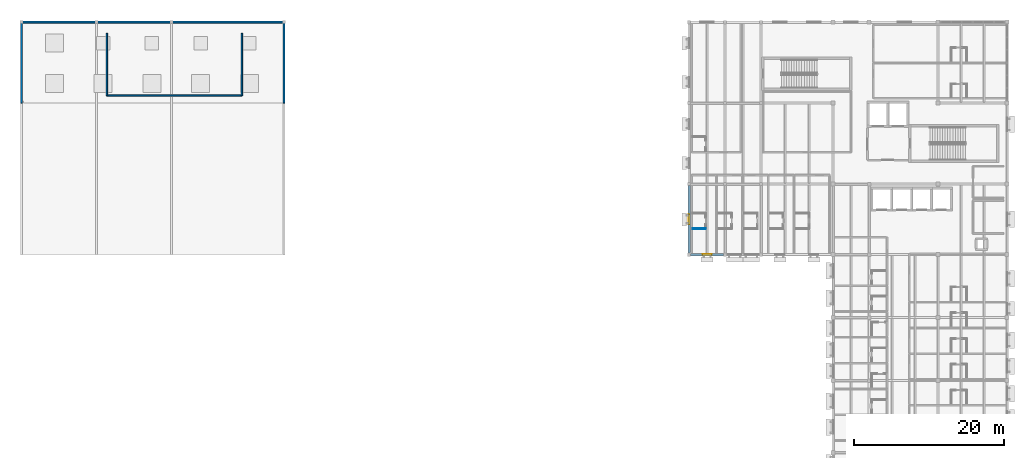
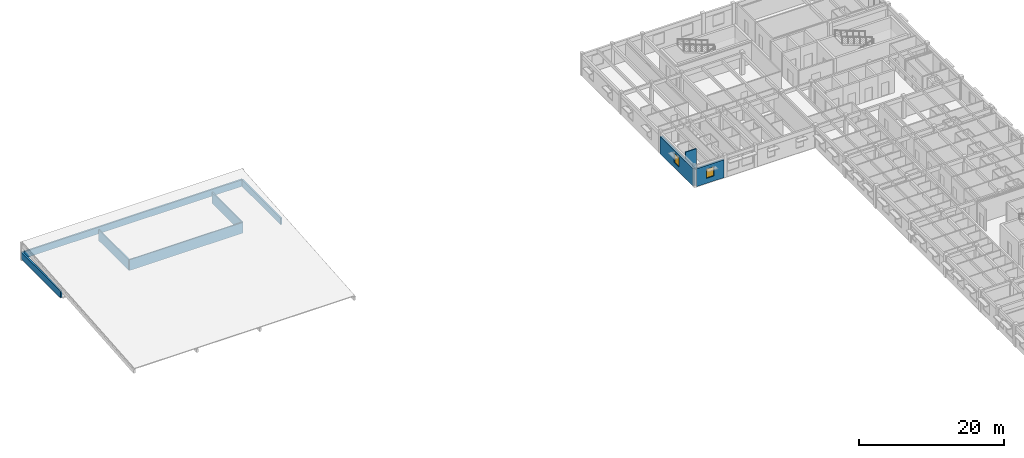
# One storey, part 15 of 31: 9 walls, 2 windows, 2 openings.
"""IFC4 building model written with IfcOpenShell, lengths in metres."""

import ifcopenshell
import ifcopenshell.guid

model = None  # the IFC model being written
_history = None  # IfcOwnerHistory: only IFC2X3 demands one
_inside = {}  # id of a spatial element -> (the spatial element, [elements in it])
_under = {}  # id of a project, library or spatial element -> (it, [spatial elements below it])
_declared = {}  # id of a project -> (the project, [libraries it declares])
_typed = {}  # id of a type object -> (the type object, [elements of that type])
_made_of = {}  # id of a material, layer set ... -> (it, [elements and type objects made of it])


def new_model(schema):
    """Start an empty IFC model of exactly this schema.

    Asked for "IFC4X3", IfcOpenShell would pick the latest addendum, in which some entities
    have other attributes; the version numbers below select the first issue.
    IFC2X3 requires an IfcOwnerHistory on every rooted entity: one is made here for all.
    """
    global model, _history
    if schema == "IFC4X3":
        model = ifcopenshell.file(schema_version=(4, 3, 0, 0))
    else:
        model = ifcopenshell.file(schema=schema)
    _inside.clear()
    _under.clear()
    _declared.clear()
    _typed.clear()
    _made_of.clear()
    _history = None
    if model.schema == "IFC2X3":
        org = make("IfcOrganization", Name="unknown")
        user = make(
            "IfcPersonAndOrganization",
            ThePerson=make("IfcPerson", FamilyName="unknown"),
            TheOrganization=org,
        )
        app = make(
            "IfcApplication",
            ApplicationDeveloper=org,
            Version="unknown",
            ApplicationFullName="unknown",
            ApplicationIdentifier="unknown",
        )
        _history = make(
            "IfcOwnerHistory",
            OwningUser=user,
            OwningApplication=app,
            ChangeAction="ADDED",
            CreationDate=0,
        )
    return model


def make(cls, **values):
    """One entity of the class cls with the attributes given. An attribute that is None is left unset."""
    return model.create_entity(
        cls, **{name: value for name, value in values.items() if value is not None}
    )


def rooted(cls, **values):
    """An entity with a GlobalId (a new one), such as an element, a storey or a relation."""
    return make(cls, GlobalId=ifcopenshell.guid.new(), OwnerHistory=_history, **values)


def si_unit(unit_type, name, prefix=None):
    """IfcSIUnit, for example si_unit("LENGTHUNIT", "METRE", prefix="MILLI")."""
    return make("IfcSIUnit", UnitType=unit_type, Prefix=prefix, Name=name)


def assignment(units):
    """IfcUnitAssignment: the units of a project."""
    return None if units is None else make("IfcUnitAssignment", Units=units)


def point(xyz):
    """IfcCartesianPoint."""
    return None if xyz is None else make("IfcCartesianPoint", Coordinates=xyz)


def direction(xyz):
    """IfcDirection."""
    return None if xyz is None else make("IfcDirection", DirectionRatios=xyz)


def frame(location, z_axis=None, x_axis=None):
    """IfcAxis2Placement3D, a coordinate frame: its origin and axes. An axis left out is left unset."""
    return make(
        "IfcAxis2Placement3D",
        Location=point(location),
        Axis=direction(z_axis),
        RefDirection=direction(x_axis),
    )


def frame_2d(location, x_axis=None):
    """IfcAxis2Placement2D, a coordinate frame in the plane: its origin and x axis."""
    return make(
        "IfcAxis2Placement2D", Location=point(location), RefDirection=direction(x_axis)
    )


def origin():
    """The frame at (0, 0, 0) with its axes left unset."""
    return frame((0.0, 0.0, 0.0))


def place(relative_to, where):
    """IfcLocalPlacement: puts the frame where relative to a parent placement (None: the world)."""
    return make(
        "IfcLocalPlacement", PlacementRelTo=relative_to, RelativePlacement=where
    )


def context(
    kind, dimensions, precision=None, world=None, true_north=None, identifier=None
):
    """IfcGeometricRepresentationContext, for example the 3D "Model" context."""
    return make(
        "IfcGeometricRepresentationContext",
        ContextIdentifier=identifier,
        ContextType=kind,
        CoordinateSpaceDimension=dimensions,
        Precision=precision,
        WorldCoordinateSystem=world,
        TrueNorth=true_north,
    )


def subcontext(parent, identifier, kind, view, scale=None):
    """IfcGeometricRepresentationSubContext, for example "Body" below "Model"."""
    return make(
        "IfcGeometricRepresentationSubContext",
        ContextIdentifier=identifier,
        ContextType=kind,
        ParentContext=parent,
        TargetScale=scale,
        TargetView=view,
    )


def project(units=None, contexts=None):
    """IfcProject with its units and contexts."""
    return rooted(
        "IfcProject",
        Name="project",
        RepresentationContexts=contexts,
        UnitsInContext=assignment(units),
    )


def spatial(cls, under=None, at=None, **own):
    """A site, building, storey or space (cls), placed at a placement, below another one or the project."""
    s = rooted(cls, ObjectPlacement=at, **own)
    if under is not None:
        _under.setdefault(under.id(), (under, []))[1].append(s)
    return s


def profile(cls, at=None, kind="AREA", **sizes):
    """A parametric profile (cls). Its sizes go by their IFC names, for example OverallWidth=200.0."""
    return make(cls, ProfileType=kind, Position=at, **sizes)


def rectangle(**sizes):
    """IfcRectangleProfileDef."""
    return profile("IfcRectangleProfileDef", **sizes)


def extrude(swept, where, along, depth):
    """IfcExtrudedAreaSolid: the profile swept, set in the frame where, extruded along a direction by depth."""
    return make(
        "IfcExtrudedAreaSolid",
        SweptArea=swept,
        Position=where,
        ExtrudedDirection=direction(along),
        Depth=depth,
    )


def shape(context_of_items, identifier, shape_type, items):
    """IfcShapeRepresentation: the items that make up one representation, for example the "Body"."""
    return make(
        "IfcShapeRepresentation",
        ContextOfItems=context_of_items,
        RepresentationIdentifier=identifier,
        RepresentationType=shape_type,
        Items=items,
    )


def material(Name=None, Category=None):
    """IfcMaterial."""
    return make("IfcMaterial", Name=Name, Category=Category)


def layer(
    of_material, thickness, ventilated=None, Name=None, Category=None, Priority=None
):
    """IfcMaterialLayer: one layer of a wall or slab, of a material (None: an air gap)."""
    return make(
        "IfcMaterialLayer",
        Material=of_material,
        LayerThickness=thickness,
        IsVentilated=ventilated,
        Name=Name,
        Category=Category,
        Priority=Priority,
    )


def layer_set(layers, Name=None):
    """IfcMaterialLayerSet."""
    return make("IfcMaterialLayerSet", MaterialLayers=layers, LayerSetName=Name)


def made_of(thing, what):
    """Note that an element or type object is made of a material, layer set ...; save() writes the relation."""
    if what is not None:
        _made_of.setdefault(what.id(), (what, []))[1].append(thing)
    return thing


def type_object(cls, material=None, **own):
    """A type object (cls), such as IfcWallType, which elements share."""
    return made_of(rooted(cls, **own), material)


def element(
    cls,
    number,
    at=None,
    inside=None,
    cuts=None,
    type_object=None,
    material=None,
    context=None,
    identifier="Body",
    shape_type=None,
    held_by="IfcProductDefinitionShape",
    body=None,
    shapes=None,
    **own,
):
    """One element of the class cls, such as IfcWall. Its Tag is "e" and its number.

    at: its placement. inside: the storey or other place that contains it. cuts: it is an
    opening in that element (IfcRelVoidsElement). A single representation is given by context,
    identifier, shape_type and body (its items); several are given by shapes. held_by: the class
    of the entity that holds the representations. save() writes the other relations.
    """
    e = rooted(cls, Tag="e%d" % number, ObjectPlacement=at, **own)
    if body is not None:
        shapes = [shape(context, identifier, shape_type, body)]
    if shapes is not None:
        e.Representation = make(held_by, Representations=shapes)
    if inside is not None:
        _inside.setdefault(inside.id(), (inside, []))[1].append(e)
    if cuts is not None:
        rooted(
            "IfcRelVoidsElement", RelatingBuildingElement=cuts, RelatedOpeningElement=e
        )
    if type_object is not None:
        _typed.setdefault(type_object.id(), (type_object, []))[1].append(e)
    return made_of(e, material)


def fill(opening, filler):
    """IfcRelFillsElement: the door or window that sits in an opening."""
    return rooted(
        "IfcRelFillsElement",
        RelatingOpeningElement=opening,
        RelatedBuildingElement=filler,
    )


def aggregate(whole, parts):
    """IfcRelAggregates: a whole, such as a stair, and the parts it consists of."""
    return rooted("IfcRelAggregates", RelatingObject=whole, RelatedObjects=parts)


def save(model, path):
    """Write the relations noted so far, then the file.

    IfcRelAggregates (storeys below a building ...), IfcRelContainedInSpatialStructure (elements
    in a storey), IfcRelDefinesByType, IfcRelAssociatesMaterial and IfcRelDeclares: one each for
    every whole, place, type object, material and project.
    """
    for whole, parts in _under.values():
        aggregate(whole, parts)
    for where, things in _inside.values():
        rooted(
            "IfcRelContainedInSpatialStructure",
            RelatedElements=things,
            RelatingStructure=where,
        )
    for kind, things in _typed.values():
        rooted("IfcRelDefinesByType", RelatedObjects=things, RelatingType=kind)
    for what, things in _made_of.values():
        rooted("IfcRelAssociatesMaterial", RelatedObjects=things, RelatingMaterial=what)
    for by, libraries in _declared.values():
        rooted("IfcRelDeclares", RelatingContext=by, RelatedDefinitions=libraries)
    model.write(path)


model = new_model("IFC4")

# Units and contexts
model_context = context("Model", 3, precision=1e-05, world=origin(), true_north=direction((0.0, 1.0)))
body_context = subcontext(model_context, "Body", "Model", "MODEL_VIEW")
ifc_project = project(units=[si_unit("LENGTHUNIT", "METRE"), si_unit("AREAUNIT", "SQUARE_METRE"), si_unit("VOLUMEUNIT", "CUBIC_METRE"), si_unit("PLANEANGLEUNIT", "RADIAN"), si_unit("MASSUNIT", "GRAM", prefix="KILO")], contexts=[model_context])

# Site, building, storey
site_placement = place(None, origin())
site = spatial("IfcSite", under=ifc_project, at=site_placement, CompositionType="ELEMENT")
building_placement = place(site_placement, origin())
building = spatial("IfcBuilding", under=site, at=building_placement, Name="Veldera Park Congress Hotel", CompositionType="ELEMENT")
storey_placement = place(building_placement, frame((0.0, 0.0, 20.0)))
storey = spatial("IfcBuildingStorey", under=building, at=storey_placement, Name="L04", CompositionType="ELEMENT", Elevation=20.0)

# Wall, opening, window
ifc_material_1 = material(Name="Cross-laminated timber CLT V2M1.1", Category="wood")
ifc_layer_1 = layer(ifc_material_1, 0.320068359375)
ifc_layer_set_1 = layer_set([ifc_layer_1], Name="Cross-laminated timber CLT V2M1.1")
wall_type_1 = type_object("IfcWallType", Name="EW-CLT320", PredefinedType="STANDARD", material=ifc_layer_set_1)
wall_1_placement = place(storey_placement, frame((41.60009765625, 36.19189453125, 0.0), z_axis=(0.0, 0.0, 1.0), x_axis=(0.0, -1.0, 0.0)))
wall_1 = element("IfcWall", 1, at=wall_1_placement, inside=storey, type_object=wall_type_1, Name="L04 Exterior Wall EW3-L04-0263", PredefinedType="STANDARD", context=body_context, shape_type="SweptSolid", body=[
    extrude(rectangle(XDim=8.968994140625, YDim=0.320068359375, at=frame_2d((4.484375, 0.0))), origin(), (0.0, 0.0, 1.0), 2.925048828125),
])
opening_1_placement = place(wall_1_placement, frame((3.8095703125, 0.0, 0.85009765625)))
opening_1 = element("IfcOpeningElement", 2, at=opening_1_placement, cuts=wall_1, Name="Opening WIN-1350", PredefinedType="OPENING", context=body_context, shape_type="SweptSolid", body=[
    extrude(rectangle(XDim=1.35009765625, YDim=1.64990234375, at=frame_2d((0.675048828125, 0.824951171875))), frame((0.0, 0.172119140625, 0.0), z_axis=(0.0, -1.0, 0.0), x_axis=(1.0, 0.0, 0.0)), (0.0, 0.0, 1.0), 0.343994140625),
])
ifc_material_2 = material(Name="Low-E Triple Insulating Glass Unit (SHGC 0.22)", Category="glass")
window_type_1 = type_object("IfcWindowType", Name="WIN-1350", PartitioningType="SINGLE_PANEL", PredefinedType="WINDOW", material=ifc_material_2)
window_1_placement = place(opening_1_placement, origin())
window_1 = element("IfcWindow", 3, at=window_1_placement, inside=storey, type_object=window_type_1, Name="L04 Window WIN-1350 213", OverallHeight=1.64990234375, OverallWidth=1.35009765625, PartitioningType="SINGLE_PANEL", PredefinedType="WINDOW", context=body_context, shape_type="SweptSolid", body=[
    extrude(rectangle(XDim=1.35009765625, YDim=1.64990234375, at=frame_2d((0.675048828125, 0.824951171875))), frame((0.0, 0.030029296875, 0.0), z_axis=(0.0, -1.0, 0.0), x_axis=(1.0, 0.0, 0.0)), (0.0, 0.0, 1.0), 0.06005859375),
])
fill(opening_1, window_1)

wall_2_placement = place(storey_placement, frame((41.822998046875, 27.0, 0.0), z_axis=(0.0, 0.0, 1.0), x_axis=(1.0, 0.0, 0.0)))
wall_2 = element("IfcWall", 4, at=wall_2_placement, inside=storey, type_object=wall_type_1, Name="L04 Exterior Wall EW3-L04-0264", PredefinedType="STANDARD", context=body_context, shape_type="SweptSolid", body=[
    extrude(rectangle(XDim=4.35400390625, YDim=0.320068359375, at=frame_2d((2.177001953125, 0.0))), origin(), (0.0, 0.0, 1.0), 3.0048828125),
])
opening_2_placement = place(wall_2_placement, frame((1.576904296875, 0.0, 0.85009765625)))
opening_2 = element("IfcOpeningElement", 5, at=opening_2_placement, cuts=wall_2, Name="Opening WIN-1200", PredefinedType="OPENING", context=body_context, shape_type="SweptSolid", body=[
    extrude(rectangle(XDim=1.199951171875, YDim=1.550048828125, at=frame_2d((0.60009765625, 0.77490234375))), frame((0.0, 0.172119140625, 0.0), z_axis=(0.0, -1.0, 0.0), x_axis=(1.0, 0.0, 0.0)), (0.0, 0.0, 1.0), 0.343994140625),
])
window_type_2 = type_object("IfcWindowType", Name="WIN-1200", PartitioningType="SINGLE_PANEL", PredefinedType="WINDOW", material=ifc_material_2)
window_2_placement = place(opening_2_placement, origin())
window_2 = element("IfcWindow", 6, at=window_2_placement, inside=storey, type_object=window_type_2, Name="L04 Window WIN-1200 214", OverallHeight=1.550048828125, OverallWidth=1.199951171875, PartitioningType="SINGLE_PANEL", PredefinedType="WINDOW", context=body_context, shape_type="SweptSolid", body=[
    extrude(rectangle(XDim=1.199951171875, YDim=1.550048828125, at=frame_2d((0.60009765625, 0.77490234375))), frame((0.0, 0.030029296875, 0.0), z_axis=(0.0, -1.0, 0.0), x_axis=(1.0, 0.0, 0.0)), (0.0, 0.0, 1.0), 0.06005859375),
])
fill(opening_2, window_2)

# Walls
ifc_material_3 = material(Name="Concrete f'c 40 MPa (5,800 psi)", Category="concrete")
ifc_layer_2 = layer(ifc_material_3, 0.25)
ifc_layer_set_2 = layer_set([ifc_layer_2], Name="Concrete f'c 40 MPa (5,800 psi)")
wall_type_2 = type_object("IfcWallType", Name="EW-PAR250", PredefinedType="PARAPET", material=ifc_layer_set_2)
wall_3_placement = place(storey_placement, frame((-47.39990234375, 58.0, 0.264892578125), z_axis=(0.0, 0.0, 1.0), x_axis=(1.0, 0.0, 0.0)))
element("IfcWall", 7, at=wall_3_placement, inside=storey, type_object=wall_type_2, Name="Roof Parapet/Screen 01", PredefinedType="PARAPET", context=body_context, shape_type="SweptSolid", body=[
    extrude(rectangle(XDim=35.0, YDim=0.25, at=frame_2d((17.5, 0.0))), origin(), (0.0, 0.0, 1.0), 1.1201171875),
])
for number, where, z_axis, x_axis, name in (
    (8, (-12.39990234375, 47.199951171875, 0.264892578125), (0.0, 0.0, 1.0), (0.0, 1.0, 0.0), "Roof Parapet/Screen 02"),
    (9, (-47.39990234375, 47.199951171875, 0.264892578125), (0.0, 0.0, 1.0), (0.0, 1.0, 0.0), "Roof Parapet/Screen 03"),
):
    element("IfcWall", number, at=place(storey_placement, frame(where, z_axis=z_axis, x_axis=x_axis)), inside=storey, type_object=wall_type_2, Name=name, PredefinedType="PARAPET", context=body_context, shape_type="SweptSolid", body=[
        extrude(rectangle(XDim=10.800048828125, YDim=0.25, at=frame_2d((5.39990234375, 0.0))), origin(), (0.0, 0.0, 1.0), 1.1201171875),
    ])
ifc_material_4 = material(Name="Anodised Aluminium Alloy 6063-T6", Category="aluminium")
ifc_layer_3 = layer(ifc_material_4, 0.199951171875)
ifc_layer_set_3 = layer_set([ifc_layer_3], Name="Anodised Aluminium Alloy 6063-T6")
wall_type_3 = type_object("IfcWallType", Name="EW-SCR200", PredefinedType="USERDEFINED", material=ifc_layer_set_3)
wall_4_placement = place(storey_placement, frame((-36.0, 48.199951171875, 0.264892578125), z_axis=(0.0, 0.0, 1.0), x_axis=(1.0, 0.0, 0.0)))
element("IfcWall", 10, at=wall_4_placement, inside=storey, type_object=wall_type_3, Name="Roof Parapet/Screen 04", ObjectType="PLANT SCREEN WALL", PredefinedType="USERDEFINED", context=body_context, shape_type="SweptSolid", body=[
    extrude(rectangle(XDim=18.0, YDim=0.199951171875, at=frame_2d((9.0, 0.0))), origin(), (0.0, 0.0, 1.0), 1.800048828125),
])
for number, where, z_axis, x_axis, name in (
    (11, (-18.0, 48.199951171875, 0.264892578125), (0.0, 0.0, 1.0), (0.0, 1.0, 0.0), "Roof Parapet/Screen 05"),
    (12, (-36.0, 56.5, 0.264892578125), (0.0, 0.0, 1.0), (0.0, -1.0, 0.0), "Roof Parapet/Screen 06"),
):
    element("IfcWall", number, at=place(storey_placement, frame(where, z_axis=z_axis, x_axis=x_axis)), inside=storey, type_object=wall_type_3, Name=name, ObjectType="PLANT SCREEN WALL", PredefinedType="USERDEFINED", context=body_context, shape_type="SweptSolid", body=[
        extrude(rectangle(XDim=8.300048828125, YDim=0.199951171875, at=frame_2d((4.14990234375, 0.0))), origin(), (0.0, 0.0, 1.0), 1.800048828125),
    ])
ifc_material_5 = material(Name="Fire-Rated Gypsum Board on Cold-Formed Steel Studs", Category="steel")
ifc_layer_4 = layer(ifc_material_5, 0.1201171875)
ifc_layer_set_4 = layer_set([ifc_layer_4], Name="Fire-Rated Gypsum Board on Cold-Formed Steel Studs")
wall_type_4 = type_object("IfcWallType", Name="IW-BATH120", PredefinedType="PARTITIONING", material=ifc_layer_set_4)
wall_5_placement = place(storey_placement, frame((42.10009765625, 30.449951171875, 0.0), z_axis=(0.0, 0.0, 1.0), x_axis=(1.0, 0.0, 0.0)))
element("IfcWall", 13, at=wall_5_placement, inside=storey, type_object=wall_type_4, Name="L04 Partition Wall IW3-L04-00971", PredefinedType="PARTITIONING", context=body_context, shape_type="SweptSolid", body=[
    extrude(rectangle(XDim=1.75, YDim=0.1201171875, at=frame_2d((0.875, 0.0))), origin(), (0.0, 0.0, 1.0), 3.550048828125),
])

save(model, "model.ifc")
